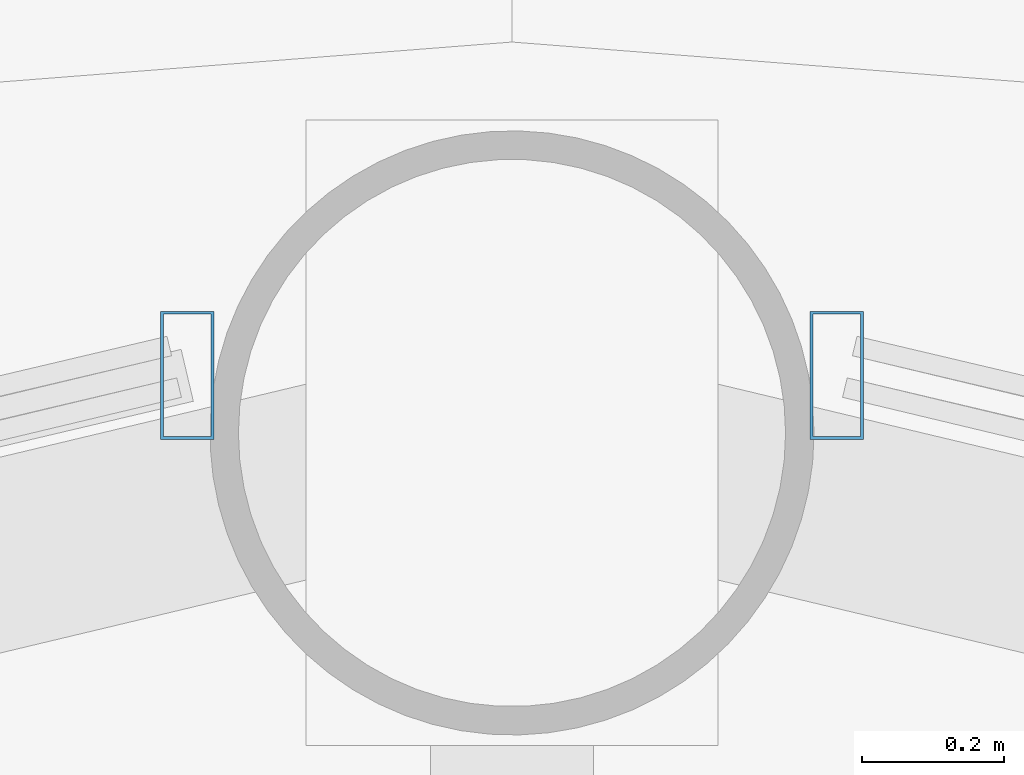
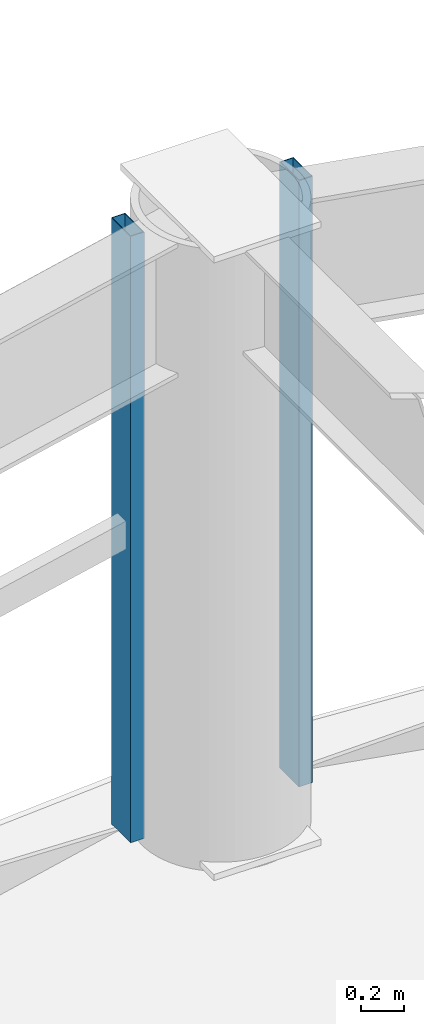
# One storey, part 17 of 29: 2 members, 2 elements without a shape of their own.
"""IFC4 building model written with IfcOpenShell, lengths in metres."""

from ifc_helpers import new_model, si_unit, direction, frame, origin, origin_2d, place, context, subcontext, project, spatial, hollow_rectangle, extrude, material, layer, layer_set, material_profile, profile_set, type_object, element, aggregate, save


model = new_model("IFC4")

# Units and contexts
model_context = context("Model", 3, precision=1e-05, world=origin(), true_north=direction((0.0, 1.0)))
body_context = subcontext(model_context, "Body", "Model", "MODEL_VIEW")
ifc_project = project(units=[si_unit("LENGTHUNIT", "METRE"), si_unit("AREAUNIT", "SQUARE_METRE"), si_unit("VOLUMEUNIT", "CUBIC_METRE"), si_unit("PLANEANGLEUNIT", "RADIAN"), si_unit("MASSUNIT", "GRAM", prefix="KILO")], contexts=[model_context])

# Site, building, storey
site_placement = place(None, origin())
site = spatial("IfcSite", under=ifc_project, at=site_placement, CompositionType="ELEMENT")
building_placement = place(site_placement, origin())
building = spatial("IfcBuilding", under=site, at=building_placement, Name="Vantalir Tower", CompositionType="ELEMENT")
storey_placement = place(building_placement, frame((0.0, 0.0, 60.75)))
storey = spatial("IfcBuildingStorey", under=building, at=storey_placement, Name="L14", CompositionType="ELEMENT", Elevation=60.75)

# Curtain wall, member
ifc_material_1 = material(Name="Champagne-silver PVDF aluminium and double-silver Low-E glass", Category="aluminium")
ifc_layer = layer(ifc_material_1, 0.18994140625)
ifc_layer_set = layer_set([ifc_layer], Name="Champagne-silver PVDF aluminium and double-silver Low-E glass")
curtain_wall_type = type_object("IfcCurtainWallType", Name="CW-DIAMOND-Z1", PredefinedType="USERDEFINED", material=ifc_layer_set)
curtain_wall_1_placement = place(storey_placement, origin())
curtain_wall_1 = element("IfcCurtainWall", 1, at=curtain_wall_1_placement, inside=storey, type_object=curtain_wall_type, Name="L14 Quilted Pyramid-Diamond Curtain Wall S03", ObjectType="UNITISED CURTAIN WALL", PredefinedType="USERDEFINED")
ifc_material_2 = material(Name="Champagne-silver PVDF aluminium 6063-T6", Category="aluminium")
ifc_material_profile = material_profile(ifc_material_2, hollow_rectangle(XDim=0.074951171875, YDim=0.179931640625, WallThickness=0.00390625, at=origin_2d()), Name="Champagne-silver PVDF aluminium 6063-T6")
ifc_profile_set = profile_set([ifc_material_profile], Name="Champagne-silver PVDF aluminium 6063-T6")
member_type = type_object("IfcMemberType", Name="CWM-180x75", PredefinedType="MULLION", material=ifc_profile_set)
member_1_placement = place(storey_placement, frame((31.95703125, 49.531982421875, 0.044921875), z_axis=(0.0, 0.0, 1.0), x_axis=(1.0, 0.0, 0.0)))
member_1 = element("IfcMember", 2, at=member_1_placement, type_object=member_type, Name="CW-L14-S03 Mullion 2", PredefinedType="MULLION", context=body_context, shape_type="SweptSolid", body=[
    extrude(hollow_rectangle(XDim=0.074951171875, YDim=0.179931640625, WallThickness=0.00390625, at=origin_2d()), origin(), (0.0, 0.0, 1.0), 3.47998046875),
])
aggregate(curtain_wall_1, [member_1])

curtain_wall_2_placement = place(storey_placement, origin())
curtain_wall_2 = element("IfcCurtainWall", 3, at=curtain_wall_2_placement, inside=storey, type_object=curtain_wall_type, Name="L14 Quilted Pyramid-Diamond Curtain Wall S04", ObjectType="UNITISED CURTAIN WALL", PredefinedType="USERDEFINED")
member_2_placement = place(storey_placement, frame((31.04296875, 49.531982421875, 0.044921875), z_axis=(0.0, 0.0, 1.0), x_axis=(1.0, 0.0, 0.0)))
member_2 = element("IfcMember", 4, at=member_2_placement, type_object=member_type, Name="CW-L14-S04 Mullion 1", PredefinedType="MULLION", context=body_context, shape_type="SweptSolid", body=[
    extrude(hollow_rectangle(XDim=0.074951171875, YDim=0.179931640625, WallThickness=0.00390625, at=origin_2d()), origin(), (0.0, 0.0, 1.0), 3.47998046875),
])
aggregate(curtain_wall_2, [member_2])

save(model, "model.ifc")
